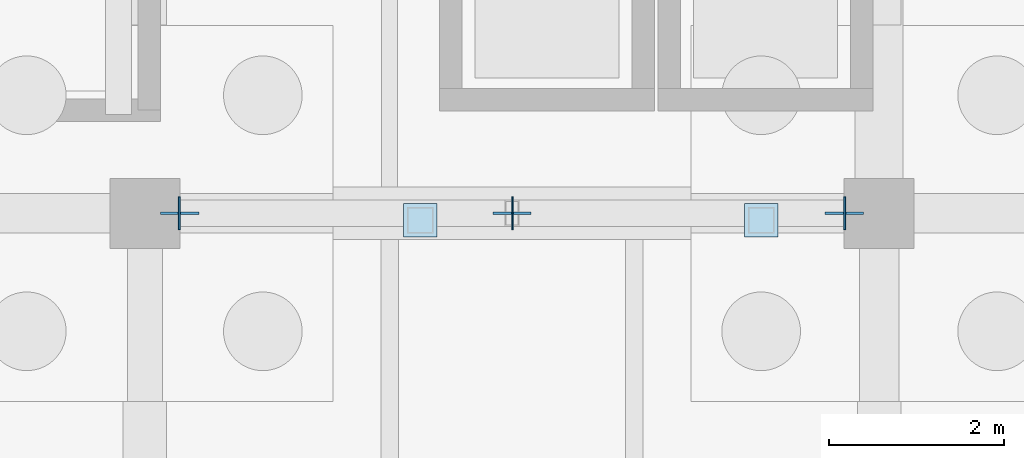
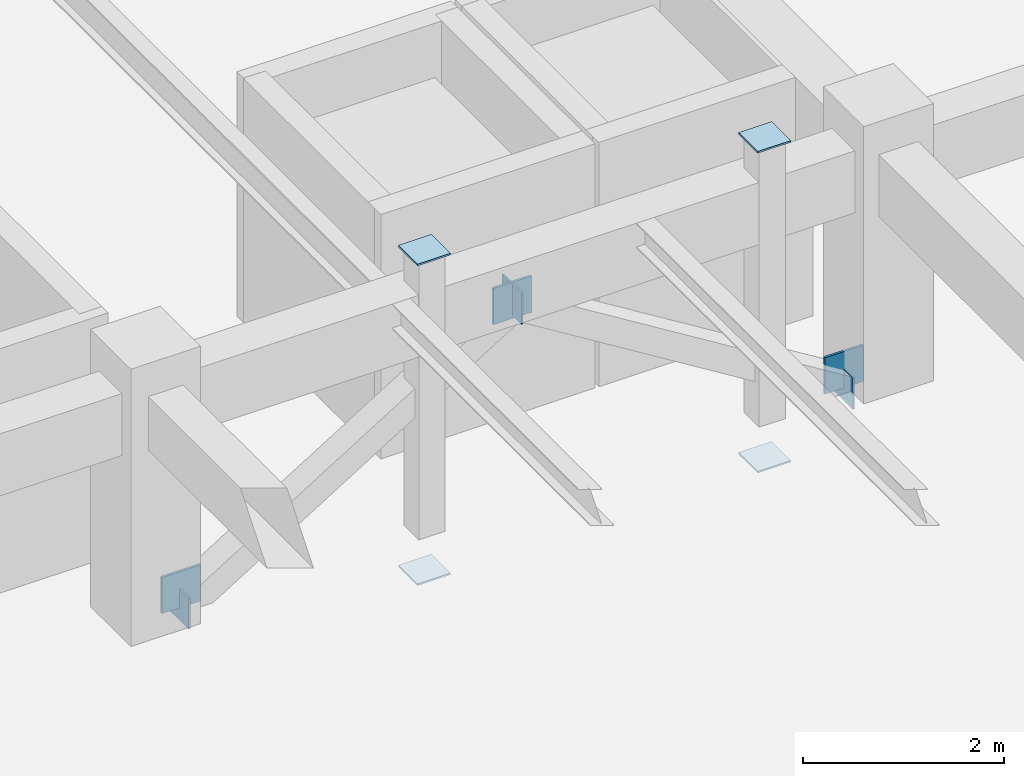
# One storey, part 38 of 70: 10 plates.
"""IFC4 building model written with IfcOpenShell, lengths in metres."""

import ifcopenshell
import ifcopenshell.guid

model = None  # the IFC model being written
_history = None  # IfcOwnerHistory: only IFC2X3 demands one
_inside = {}  # id of a spatial element -> (the spatial element, [elements in it])
_under = {}  # id of a project, library or spatial element -> (it, [spatial elements below it])
_declared = {}  # id of a project -> (the project, [libraries it declares])
_typed = {}  # id of a type object -> (the type object, [elements of that type])
_made_of = {}  # id of a material, layer set ... -> (it, [elements and type objects made of it])


def new_model(schema):
    """Start an empty IFC model of exactly this schema.

    Asked for "IFC4X3", IfcOpenShell would pick the latest addendum, in which some entities
    have other attributes; the version numbers below select the first issue.
    IFC2X3 requires an IfcOwnerHistory on every rooted entity: one is made here for all.
    """
    global model, _history
    if schema == "IFC4X3":
        model = ifcopenshell.file(schema_version=(4, 3, 0, 0))
    else:
        model = ifcopenshell.file(schema=schema)
    _inside.clear()
    _under.clear()
    _declared.clear()
    _typed.clear()
    _made_of.clear()
    _history = None
    if model.schema == "IFC2X3":
        org = make("IfcOrganization", Name="unknown")
        user = make(
            "IfcPersonAndOrganization",
            ThePerson=make("IfcPerson", FamilyName="unknown"),
            TheOrganization=org,
        )
        app = make(
            "IfcApplication",
            ApplicationDeveloper=org,
            Version="unknown",
            ApplicationFullName="unknown",
            ApplicationIdentifier="unknown",
        )
        _history = make(
            "IfcOwnerHistory",
            OwningUser=user,
            OwningApplication=app,
            ChangeAction="ADDED",
            CreationDate=0,
        )
    return model


def make(cls, **values):
    """One entity of the class cls with the attributes given. An attribute that is None is left unset."""
    return model.create_entity(
        cls, **{name: value for name, value in values.items() if value is not None}
    )


def rooted(cls, **values):
    """An entity with a GlobalId (a new one), such as an element, a storey or a relation."""
    return make(cls, GlobalId=ifcopenshell.guid.new(), OwnerHistory=_history, **values)


def si_unit(unit_type, name, prefix=None):
    """IfcSIUnit, for example si_unit("LENGTHUNIT", "METRE", prefix="MILLI")."""
    return make("IfcSIUnit", UnitType=unit_type, Prefix=prefix, Name=name)


def assignment(units):
    """IfcUnitAssignment: the units of a project."""
    return None if units is None else make("IfcUnitAssignment", Units=units)


def point(xyz):
    """IfcCartesianPoint."""
    return None if xyz is None else make("IfcCartesianPoint", Coordinates=xyz)


def direction(xyz):
    """IfcDirection."""
    return None if xyz is None else make("IfcDirection", DirectionRatios=xyz)


def frame(location, z_axis=None, x_axis=None):
    """IfcAxis2Placement3D, a coordinate frame: its origin and axes. An axis left out is left unset."""
    return make(
        "IfcAxis2Placement3D",
        Location=point(location),
        Axis=direction(z_axis),
        RefDirection=direction(x_axis),
    )


def frame_2d(location, x_axis=None):
    """IfcAxis2Placement2D, a coordinate frame in the plane: its origin and x axis."""
    return make(
        "IfcAxis2Placement2D", Location=point(location), RefDirection=direction(x_axis)
    )


def origin():
    """The frame at (0, 0, 0) with its axes left unset."""
    return frame((0.0, 0.0, 0.0))


def origin_2d():
    """The frame at (0, 0) in the plane with its x axis left unset."""
    return frame_2d((0.0, 0.0))


def place(relative_to, where):
    """IfcLocalPlacement: puts the frame where relative to a parent placement (None: the world)."""
    return make(
        "IfcLocalPlacement", PlacementRelTo=relative_to, RelativePlacement=where
    )


def context(
    kind, dimensions, precision=None, world=None, true_north=None, identifier=None
):
    """IfcGeometricRepresentationContext, for example the 3D "Model" context."""
    return make(
        "IfcGeometricRepresentationContext",
        ContextIdentifier=identifier,
        ContextType=kind,
        CoordinateSpaceDimension=dimensions,
        Precision=precision,
        WorldCoordinateSystem=world,
        TrueNorth=true_north,
    )


def subcontext(parent, identifier, kind, view, scale=None):
    """IfcGeometricRepresentationSubContext, for example "Body" below "Model"."""
    return make(
        "IfcGeometricRepresentationSubContext",
        ContextIdentifier=identifier,
        ContextType=kind,
        ParentContext=parent,
        TargetScale=scale,
        TargetView=view,
    )


def project(units=None, contexts=None):
    """IfcProject with its units and contexts."""
    return rooted(
        "IfcProject",
        Name="project",
        RepresentationContexts=contexts,
        UnitsInContext=assignment(units),
    )


def spatial(cls, under=None, at=None, **own):
    """A site, building, storey or space (cls), placed at a placement, below another one or the project."""
    s = rooted(cls, ObjectPlacement=at, **own)
    if under is not None:
        _under.setdefault(under.id(), (under, []))[1].append(s)
    return s


def profile(cls, at=None, kind="AREA", **sizes):
    """A parametric profile (cls). Its sizes go by their IFC names, for example OverallWidth=200.0."""
    return make(cls, ProfileType=kind, Position=at, **sizes)


def rectangle(**sizes):
    """IfcRectangleProfileDef."""
    return profile("IfcRectangleProfileDef", **sizes)


def extrude(swept, where, along, depth):
    """IfcExtrudedAreaSolid: the profile swept, set in the frame where, extruded along a direction by depth."""
    return make(
        "IfcExtrudedAreaSolid",
        SweptArea=swept,
        Position=where,
        ExtrudedDirection=direction(along),
        Depth=depth,
    )


def shape(context_of_items, identifier, shape_type, items):
    """IfcShapeRepresentation: the items that make up one representation, for example the "Body"."""
    return make(
        "IfcShapeRepresentation",
        ContextOfItems=context_of_items,
        RepresentationIdentifier=identifier,
        RepresentationType=shape_type,
        Items=items,
    )


def material(Name=None, Category=None):
    """IfcMaterial."""
    return make("IfcMaterial", Name=Name, Category=Category)


def layer(
    of_material, thickness, ventilated=None, Name=None, Category=None, Priority=None
):
    """IfcMaterialLayer: one layer of a wall or slab, of a material (None: an air gap)."""
    return make(
        "IfcMaterialLayer",
        Material=of_material,
        LayerThickness=thickness,
        IsVentilated=ventilated,
        Name=Name,
        Category=Category,
        Priority=Priority,
    )


def layer_set(layers, Name=None):
    """IfcMaterialLayerSet."""
    return make("IfcMaterialLayerSet", MaterialLayers=layers, LayerSetName=Name)


def made_of(thing, what):
    """Note that an element or type object is made of a material, layer set ...; save() writes the relation."""
    if what is not None:
        _made_of.setdefault(what.id(), (what, []))[1].append(thing)
    return thing


def type_object(cls, material=None, **own):
    """A type object (cls), such as IfcWallType, which elements share."""
    return made_of(rooted(cls, **own), material)


def element(
    cls,
    number,
    at=None,
    inside=None,
    cuts=None,
    type_object=None,
    material=None,
    context=None,
    identifier="Body",
    shape_type=None,
    held_by="IfcProductDefinitionShape",
    body=None,
    shapes=None,
    **own,
):
    """One element of the class cls, such as IfcWall. Its Tag is "e" and its number.

    at: its placement. inside: the storey or other place that contains it. cuts: it is an
    opening in that element (IfcRelVoidsElement). A single representation is given by context,
    identifier, shape_type and body (its items); several are given by shapes. held_by: the class
    of the entity that holds the representations. save() writes the other relations.
    """
    e = rooted(cls, Tag="e%d" % number, ObjectPlacement=at, **own)
    if body is not None:
        shapes = [shape(context, identifier, shape_type, body)]
    if shapes is not None:
        e.Representation = make(held_by, Representations=shapes)
    if inside is not None:
        _inside.setdefault(inside.id(), (inside, []))[1].append(e)
    if cuts is not None:
        rooted(
            "IfcRelVoidsElement", RelatingBuildingElement=cuts, RelatedOpeningElement=e
        )
    if type_object is not None:
        _typed.setdefault(type_object.id(), (type_object, []))[1].append(e)
    return made_of(e, material)


def aggregate(whole, parts):
    """IfcRelAggregates: a whole, such as a stair, and the parts it consists of."""
    return rooted("IfcRelAggregates", RelatingObject=whole, RelatedObjects=parts)


def save(model, path):
    """Write the relations noted so far, then the file.

    IfcRelAggregates (storeys below a building ...), IfcRelContainedInSpatialStructure (elements
    in a storey), IfcRelDefinesByType, IfcRelAssociatesMaterial and IfcRelDeclares: one each for
    every whole, place, type object, material and project.
    """
    for whole, parts in _under.values():
        aggregate(whole, parts)
    for where, things in _inside.values():
        rooted(
            "IfcRelContainedInSpatialStructure",
            RelatedElements=things,
            RelatingStructure=where,
        )
    for kind, things in _typed.values():
        rooted("IfcRelDefinesByType", RelatedObjects=things, RelatingType=kind)
    for what, things in _made_of.values():
        rooted("IfcRelAssociatesMaterial", RelatedObjects=things, RelatingMaterial=what)
    for by, libraries in _declared.values():
        rooted("IfcRelDeclares", RelatingContext=by, RelatedDefinitions=libraries)
    model.write(path)


model = new_model("IFC4")

# Units and contexts
model_context = context("Model", 3, precision=1e-05, world=origin(), true_north=direction((0.0, 1.0)))
body_context = subcontext(model_context, "Body", "Model", "MODEL_VIEW")
ifc_project = project(units=[si_unit("LENGTHUNIT", "METRE"), si_unit("AREAUNIT", "SQUARE_METRE"), si_unit("VOLUMEUNIT", "CUBIC_METRE"), si_unit("PLANEANGLEUNIT", "RADIAN"), si_unit("MASSUNIT", "GRAM", prefix="KILO")], contexts=[model_context])

# Site, building, storey
site_placement = place(None, origin())
site = spatial("IfcSite", under=ifc_project, at=site_placement, CompositionType="ELEMENT")
building_placement = place(site_placement, origin())
building = spatial("IfcBuilding", under=site, at=building_placement, Name="Cumbredor Promenade Congress Hotel", CompositionType="ELEMENT")
storey_placement = place(building_placement, frame((0.0, 0.0, -7.56005859375)))
storey = spatial("IfcBuildingStorey", under=building, at=storey_placement, Name="B02", CompositionType="ELEMENT", Elevation=-7.56005859375)

# Plates
ifc_material = material(Name="Steel ASTM A572 Grade 50", Category="steel")
ifc_layer_1 = layer(ifc_material, 0.02001953125, Name="Steel ASTM A572 Grade 50", Category="steel")
ifc_layer_set_1 = layer_set([ifc_layer_1], Name="Steel ASTM A572 Grade 50")
plate_type_1 = type_object("IfcPlateType", Name="Hollow Section End Cap Plate CP-04", PredefinedType="USERDEFINED", material=ifc_layer_set_1)
for number, where, z_axis, x_axis, name in (
    (1, (101.193115234375, 84.0, -0.194091796875), (0.0, 0.0, 1.0), (1.0, 0.0, 0.0), "B02 Chevron Seismic Brace 4A Start Cap Plate"),
    (2, (105.0068359375, 84.0, 2.164306640625), (0.0, 0.0, 1.0), (1.0, 0.0, 0.0), "B02 Chevron Seismic Brace 4A End Cap Plate"),
    (3, (108.806884765625, 84.0, -0.194091796875), (0.0, 0.0, 1.0), (-1.0, 0.0, 0.0), "B02 Chevron Seismic Brace 4B Start Cap Plate"),
):
    element("IfcPlate", number, at=place(storey_placement, frame(where, z_axis=z_axis, x_axis=x_axis)), inside=storey, type_object=plate_type_1, Name=name, ObjectType="CAP PLATE", PredefinedType="USERDEFINED", context=body_context, shape_type="SweptSolid", body=[
        extrude(rectangle(XDim=0.02001953125, YDim=0.3798828125, at=origin_2d()), origin(), (0.0, 0.0, 1.0), 0.3798828125),
    ])
for number, where, z_axis, x_axis, name in (
    (4, (103.949951171875, 83.919921875, -0.51806640625), (0.0, 0.0, 1.0), (1.0, 0.0, 0.0), "Central Reflecting-Pool Promenade Bridge B02 Substructure Pier 3 Start Cap Plate"),
    (5, (103.949951171875, 83.919921875, 3.358154296875), (0.0, 0.0, 1.0), (1.0, 0.0, 0.0), "Central Reflecting-Pool Promenade Bridge B02 Substructure Pier 3 End Cap Plate"),
    (6, (107.85009765625, 83.919921875, -0.51806640625), (0.0, 0.0, 1.0), (1.0, 0.0, 0.0), "Central Reflecting-Pool Promenade Bridge B02 Substructure Pier 4 Start Cap Plate"),
    (7, (107.85009765625, 83.919921875, 3.358154296875), (0.0, 0.0, 1.0), (1.0, 0.0, 0.0), "Central Reflecting-Pool Promenade Bridge B02 Substructure Pier 4 End Cap Plate"),
):
    element("IfcPlate", number, at=place(storey_placement, frame(where, z_axis=z_axis, x_axis=x_axis)), inside=storey, type_object=plate_type_1, Name=name, ObjectType="CAP PLATE", PredefinedType="USERDEFINED", context=body_context, shape_type="SweptSolid", body=[
        extrude(rectangle(XDim=0.3798828125, YDim=0.3798828125, at=origin_2d()), origin(), (0.0, 0.0, 1.0), 0.02001953125),
    ])
ifc_layer_2 = layer(ifc_material, 0.028076171875, Name="Steel ASTM A572 Grade 50", Category="steel")
ifc_layer_set_2 = layer_set([ifc_layer_2], Name="Steel ASTM A572 Grade 50")
plate_type_2 = type_object("IfcPlateType", Name="Space Frame Node Assembly ND-03", PredefinedType="USERDEFINED", material=ifc_layer_set_2)
for number, where, z_axis, x_axis, name in (
    (8, (101.199951171875, 84.0, -0.039794921875), (0.0, 0.0, 1.0), (1.0, 0.0, 0.0), "B02 Seismic Frame Gusset Plate 4-BL"),
    (9, (108.800048828125, 84.0, -0.039794921875), (0.0, 0.0, 1.0), (1.0, 0.0, 0.0), "B02 Seismic Frame Gusset Plate 4-BR"),
    (10, (105.0, 84.0, 2.130126953125), (0.0, 0.0, 1.0), (1.0, 0.0, 0.0), "B02 Seismic Frame Gusset Plate 4-APX"),
):
    element("IfcPlate", number, at=place(storey_placement, frame(where, z_axis=z_axis, x_axis=x_axis)), inside=storey, type_object=plate_type_2, Name=name, ObjectType="GUSSET PLATE", PredefinedType="USERDEFINED", context=body_context, shape_type="SweptSolid", body=[
        extrude(rectangle(XDim=0.43994140625, YDim=0.028076171875, at=origin_2d()), origin(), (0.0, 0.0, 1.0), 0.43994140625),
    ])

save(model, "model.ifc")
